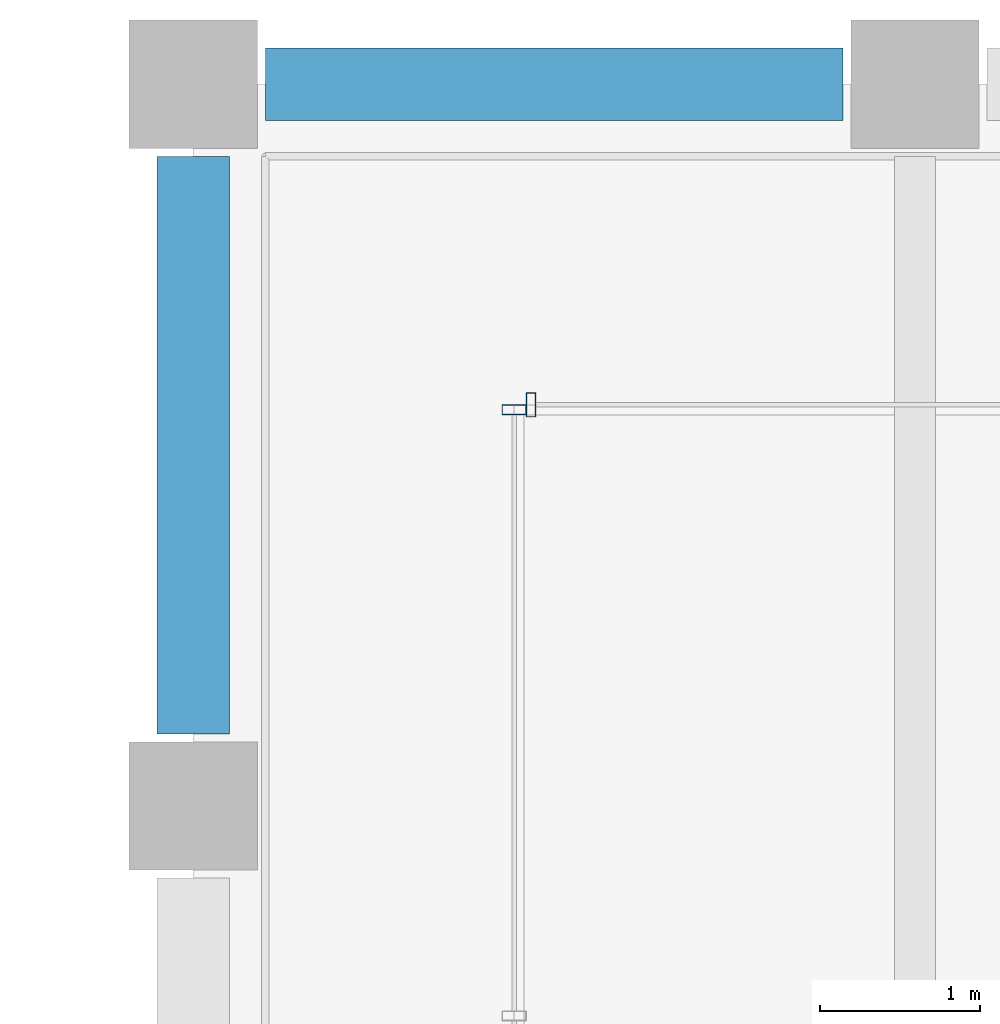
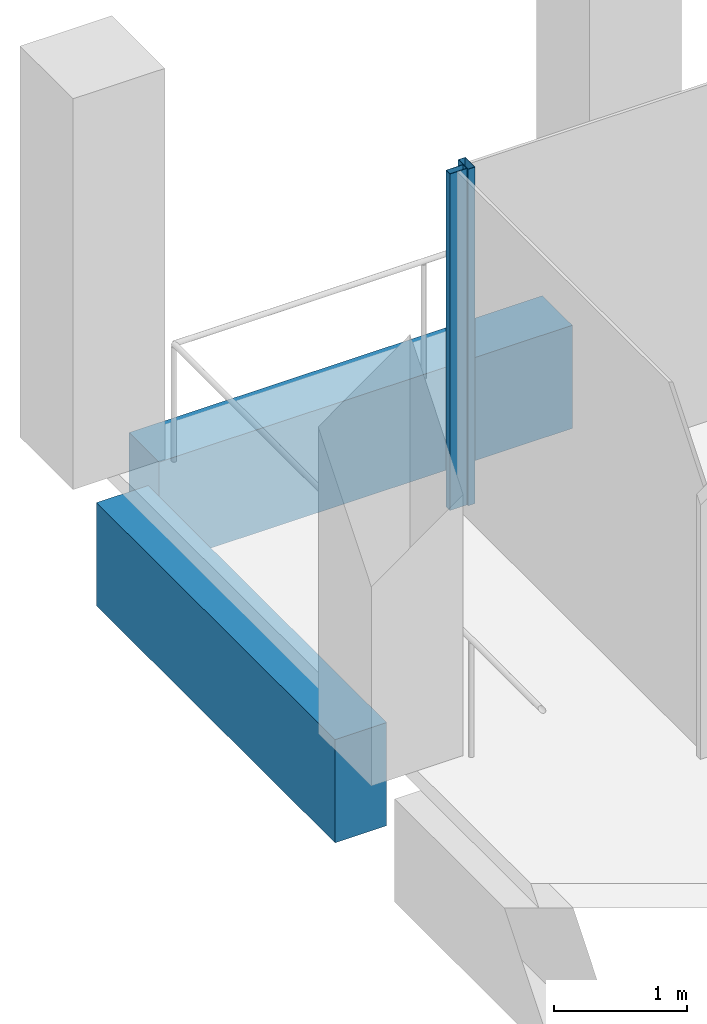
# One storey, part 21 of 40: 2 beams, 2 members, 2 elements without a shape of their own.
"""IFC4 building model written with IfcOpenShell, lengths in metres."""

from ifc_helpers import new_model, si_unit, direction, frame, origin, origin_2d, place, context, subcontext, project, spatial, rectangle, hollow_rectangle, extrude, material, material_profile, profile_set, type_object, element, aggregate, save


model = new_model("IFC4")

# Units and contexts
model_context = context("Model", 3, precision=1e-05, world=origin(), true_north=direction((0.0, 1.0)))
body_context = subcontext(model_context, "Body", "Model", "MODEL_VIEW")
ifc_project = project(units=[si_unit("LENGTHUNIT", "METRE"), si_unit("AREAUNIT", "SQUARE_METRE"), si_unit("VOLUMEUNIT", "CUBIC_METRE"), si_unit("PLANEANGLEUNIT", "RADIAN"), si_unit("MASSUNIT", "GRAM", prefix="KILO")], contexts=[model_context])

# Site, building, storey
site_placement = place(None, origin())
site = spatial("IfcSite", under=ifc_project, at=site_placement, CompositionType="ELEMENT")
building_placement = place(site_placement, origin())
building = spatial("IfcBuilding", under=site, at=building_placement, Name="Altepetl Exchange Towers", CompositionType="ELEMENT")
storey_placement = place(building_placement, frame((0.0, 0.0, 195.60009765625)))
storey = spatial("IfcBuildingStorey", under=building, at=storey_placement, Name="L49", CompositionType="ELEMENT", Elevation=195.60009765625)

# Curtain wall, member
ifc_material_1 = material(Name="Aluminium 6063-T6 glazing", Category="aluminium")
curtain_wall_type = type_object("IfcCurtainWallType", Name="Loggia glazing system", PredefinedType="NOTDEFINED", material=ifc_material_1)
curtain_wall_1_placement = place(storey_placement, origin())
curtain_wall_1 = element("IfcCurtainWall", 1, at=curtain_wall_1_placement, inside=storey, type_object=curtain_wall_type, Name="CW1 run", PredefinedType="NOTDEFINED")
ifc_material_2 = material(Name="Aluminium 6063-T6", Category="aluminium")
ifc_material_profile_1 = material_profile(ifc_material_2, hollow_rectangle(XDim=0.06005859375, YDim=0.14990234375, WallThickness=0.0029296875, at=origin_2d()), Name="Mullion 60x150 aluminium")
ifc_profile_set_1 = profile_set([ifc_material_profile_1], Name="Aluminium 6063-T6")
member_type = type_object("IfcMemberType", Name="Mullion 60x150 aluminium", PredefinedType="MULLION", material=ifc_profile_set_1)
member_1_placement = place(storey_placement, frame((42.60498046875, 70.0, 0.0), z_axis=(0.0, 0.0, 1.0), x_axis=(-1.0, 0.0, 0.0)))
member_1 = element("IfcMember", 2, at=member_1_placement, type_object=member_type, Name="MU1 mullion", PredefinedType="MULLION", context=body_context, shape_type="SweptSolid", body=[
    extrude(hollow_rectangle(XDim=0.06005859375, YDim=0.14990234375, WallThickness=0.0029296875, at=origin_2d()), origin(), (0.0, 0.0, 1.0), 3.099853515625),
])
aggregate(curtain_wall_1, [member_1])

curtain_wall_2_placement = place(storey_placement, origin())
curtain_wall_2 = element("IfcCurtainWall", 3, at=curtain_wall_2_placement, inside=storey, type_object=curtain_wall_type, Name="CW1 run", PredefinedType="NOTDEFINED")
member_2_placement = place(storey_placement, frame((42.5, 69.969970703125, 0.0), z_axis=(0.0, 0.0, 1.0), x_axis=(0.0, -1.0, 0.0)))
member_2 = element("IfcMember", 4, at=member_2_placement, type_object=member_type, Name="MU1 mullion", PredefinedType="MULLION", context=body_context, shape_type="SweptSolid", body=[
    extrude(hollow_rectangle(XDim=0.06005859375, YDim=0.14990234375, WallThickness=0.0029296875, at=origin_2d()), origin(), (0.0, 0.0, 1.0), 3.099853515625),
])
aggregate(curtain_wall_2, [member_2])

# Beams
ifc_material_3 = material(Name="Concrete C50/60 precast with cantera rosa facing", Category="concrete")
ifc_material_profile_2 = material_profile(ifc_material_3, rectangle(XDim=0.449951171875, YDim=0.949951171875, at=origin_2d()), Name="450 x 950")
ifc_profile_set_2 = profile_set([ifc_material_profile_2], Name="Concrete C50/60 precast with cantera rosa facing")
beam_type_1 = type_object("IfcBeamType", Name="Spandrel beam 450x950 cantera rosa", PredefinedType="SPANDREL", material=ifc_profile_set_2)
beam_1_placement = place(storey_placement, frame((44.550048828125, 72.0, -0.625), z_axis=(-1.0, 0.0, 0.0), x_axis=(0.0, -1.0, 0.0)))
element("IfcBeam", 5, at=beam_1_placement, inside=storey, type_object=beam_type_1, Name="sp:A:L49:029", PredefinedType="SPANDREL", context=body_context, shape_type="SweptSolid", body=[
    extrude(rectangle(XDim=0.449951171875, YDim=0.949951171875, at=origin_2d()), origin(), (0.0, 0.0, 1.0), 3.60009765625),
])
ifc_material_4 = material(Name="Concrete C50/60 precast with tezontle facing", Category="concrete")
ifc_material_profile_3 = material_profile(ifc_material_4, rectangle(XDim=0.449951171875, YDim=0.949951171875, at=origin_2d()), Name="450 x 950")
ifc_profile_set_3 = profile_set([ifc_material_profile_3], Name="Concrete C50/60 precast with tezontle facing")
beam_type_2 = type_object("IfcBeamType", Name="Spandrel beam 450x950 tezontle", PredefinedType="SPANDREL", material=ifc_profile_set_3)
beam_2_placement = place(storey_placement, frame((40.5, 71.550048828125, -0.625), z_axis=(0.0, -1.0, 0.0), x_axis=(1.0, 0.0, 0.0)))
element("IfcBeam", 6, at=beam_2_placement, inside=storey, type_object=beam_type_2, Name="sp:A:L49:030", PredefinedType="SPANDREL", context=body_context, shape_type="SweptSolid", body=[
    extrude(rectangle(XDim=0.449951171875, YDim=0.949951171875, at=origin_2d()), origin(), (0.0, 0.0, 1.0), 3.60009765625),
])

save(model, "model.ifc")
